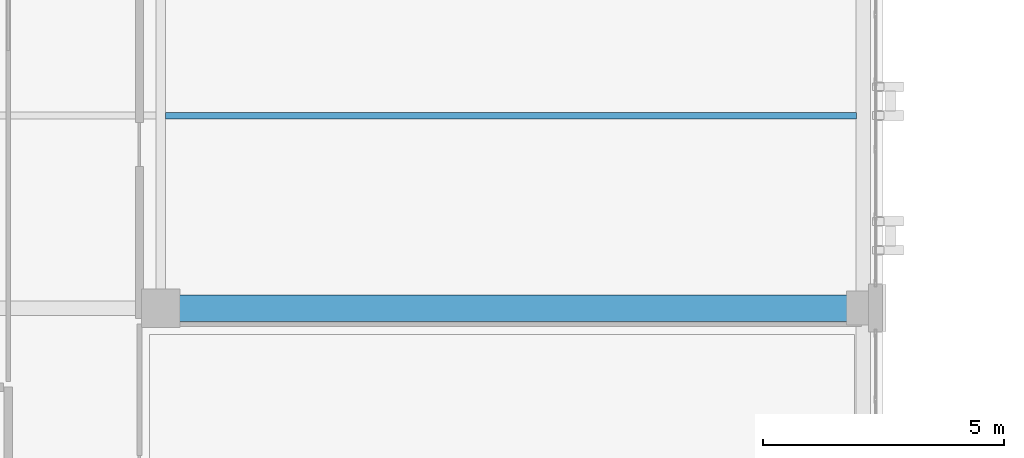
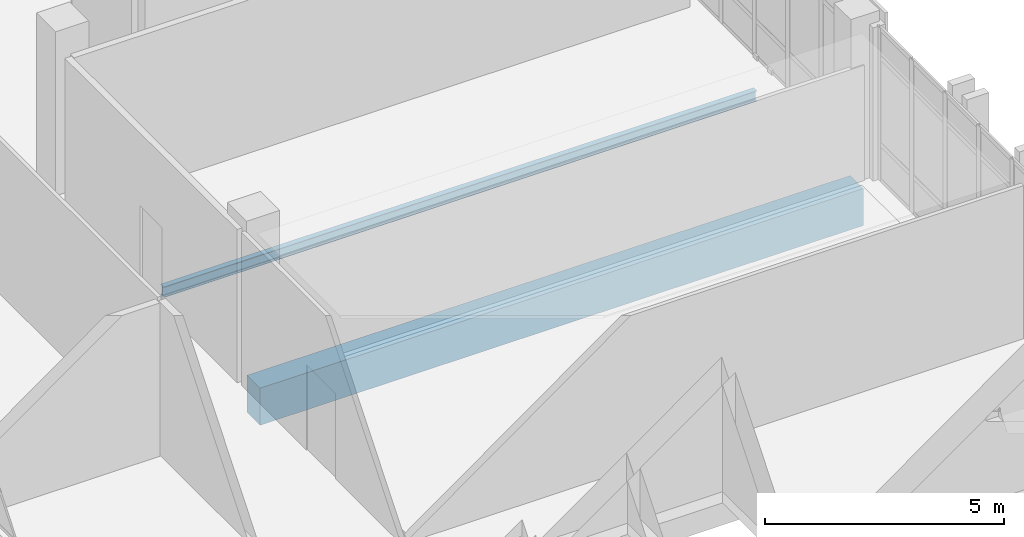
# One storey, part 63 of 165: 2 beams.
"""IFC4 building model written with IfcOpenShell, lengths in metres."""

from ifc_helpers import new_model, si_unit, direction, frame, origin, origin_2d, place, context, subcontext, project, spatial, rectangle, i_section, extrude, material, material_profile, profile_set, type_object, element, save


model = new_model("IFC4")

# Units and contexts
model_context = context("Model", 3, precision=1e-05, world=origin(), true_north=direction((0.0, 1.0)))
body_context = subcontext(model_context, "Body", "Model", "MODEL_VIEW")
ifc_project = project(units=[si_unit("LENGTHUNIT", "METRE"), si_unit("AREAUNIT", "SQUARE_METRE"), si_unit("VOLUMEUNIT", "CUBIC_METRE"), si_unit("PLANEANGLEUNIT", "RADIAN"), si_unit("MASSUNIT", "GRAM", prefix="KILO")], contexts=[model_context])

# Site, building, storey
site_placement = place(None, origin())
site = spatial("IfcSite", under=ifc_project, at=site_placement, CompositionType="ELEMENT")
building_placement = place(site_placement, origin())
building = spatial("IfcBuilding", under=site, at=building_placement, Name="Qalavern Law Courts", CompositionType="ELEMENT")
storey_placement = place(building_placement, frame((0.0, 0.0, 14.39990234375)))
storey = spatial("IfcBuildingStorey", under=building, at=storey_placement, Name="L03", CompositionType="ELEMENT", Elevation=14.39990234375)

# Beams
ifc_material_1 = material(Name="Concrete C40/50", Category="concrete")
ifc_material_profile_1 = material_profile(ifc_material_1, rectangle(XDim=0.550048828125, YDim=0.949951171875, at=origin_2d()), Name="RC 550x950")
ifc_profile_set_1 = profile_set([ifc_material_profile_1], Name="Concrete C40/50")
beam_type_1 = type_object("IfcBeamType", Name="STR-BM-RC550x950", PredefinedType="BEAM", material=ifc_profile_set_1)
beam_1_placement = place(storey_placement, frame((91.800048828125, 57.39990234375, -0.760009765625), z_axis=(1.0, 0.0, 0.0), x_axis=(0.0, 1.0, 0.0)))
element("IfcBeam", 1, at=beam_1_placement, inside=storey, type_object=beam_type_1, Name="V4 X-beam 3-2 L03", PredefinedType="BEAM", context=body_context, shape_type="SweptSolid", body=[
    extrude(rectangle(XDim=0.550048828125, YDim=0.949951171875, at=origin_2d()), origin(), (0.0, 0.0, 1.0), 14.599853515625),
])
ifc_material_2 = material(Name="Steel S355", Category="steel")
ifc_material_profile_2 = material_profile(ifc_material_2, i_section(OverallWidth=0.135009765625, OverallDepth=0.27001953125, WebThickness=0.006591796875, FlangeThickness=0.01025390625, FilletRadius=0.014892578125, at=origin_2d()), Name="IPE 270")
ifc_profile_set_2 = profile_set([ifc_material_profile_2], Name="Steel S355")
beam_type_2 = type_object("IfcBeamType", Name="STR-JST-IPE270", PredefinedType="JOIST", material=ifc_profile_set_2)
beam_2_placement = place(storey_placement, frame((91.89794921875, 61.39990234375, -0.419921875), z_axis=(1.0, 0.0, 0.0), x_axis=(0.0, 1.0, 0.0)))
element("IfcBeam", 2, at=beam_2_placement, inside=storey, type_object=beam_type_2, Name="V4 secondary joist 2.3.1 L03", PredefinedType="JOIST", context=body_context, shape_type="SweptSolid", body=[
    extrude(i_section(OverallWidth=0.135009765625, OverallDepth=0.27001953125, WebThickness=0.006591796875, FlangeThickness=0.01025390625, FilletRadius=0.014892578125, at=origin_2d()), origin(), (0.0, 0.0, 1.0), 14.35400390625),
])

save(model, "model.ifc")
